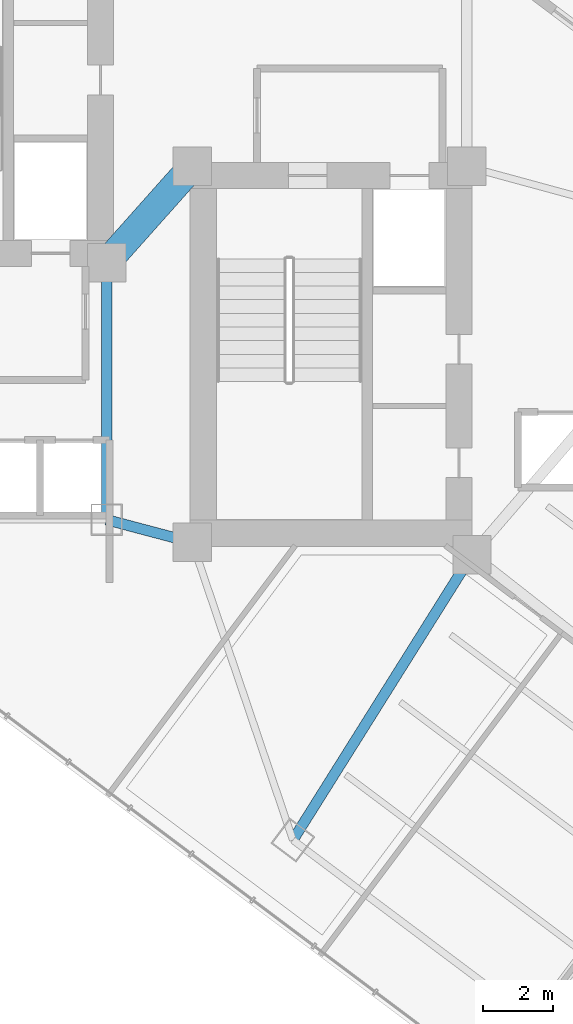
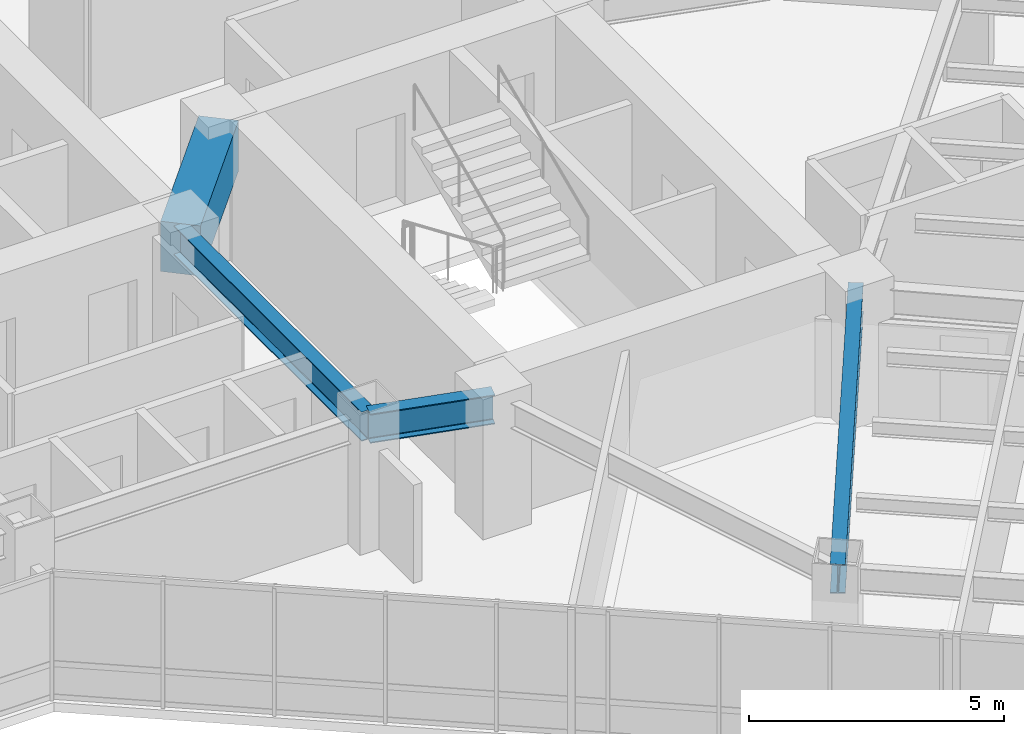
# One storey, part 10 of 36: 4 beams.
"""IFC4 building model written with IfcOpenShell, lengths in metres."""

from ifc_helpers import new_model, si_unit, direction, frame, origin, origin_2d, place, context, subcontext, project, spatial, rectangle, i_section, extrude, material, material_profile, profile_set, type_object, element, save


model = new_model("IFC4")

# Units and contexts
model_context = context("Model", 3, precision=1e-05, world=origin(), true_north=direction((0.0, 1.0)))
body_context = subcontext(model_context, "Body", "Model", "MODEL_VIEW")
ifc_project = project(units=[si_unit("LENGTHUNIT", "METRE"), si_unit("AREAUNIT", "SQUARE_METRE"), si_unit("VOLUMEUNIT", "CUBIC_METRE"), si_unit("PLANEANGLEUNIT", "RADIAN"), si_unit("MASSUNIT", "GRAM", prefix="KILO")], contexts=[model_context])

# Site, building, storey
site_placement = place(None, origin())
site = spatial("IfcSite", under=ifc_project, at=site_placement, CompositionType="ELEMENT")
building_placement = place(site_placement, origin())
building = spatial("IfcBuilding", under=site, at=building_placement, Name="Hatsunagi Terrace Concourse", CompositionType="ELEMENT")
storey_placement = place(building_placement, frame((0.0, 0.0, 88.0)))
storey = spatial("IfcBuildingStorey", under=building, at=storey_placement, Name="L23", CompositionType="ELEMENT", Elevation=88.0)

# Beams
ifc_material_1 = material(Name="Concrete Fc60", Category="concrete")
ifc_material_profile_1 = material_profile(ifc_material_1, rectangle(XDim=0.800048828125, YDim=1.199951171875, at=origin_2d()), Name="RC-800x1200")
ifc_profile_set_1 = profile_set([ifc_material_profile_1], Name="Concrete Fc60")
beam_type_1 = type_object("IfcBeamType", Name="CoreCouplingBeam_RC_800x1200", PredefinedType="BEAM", material=ifc_profile_set_1)
beam_1_placement = place(storey_placement, frame((33.35009765625, 32.550048828125, 2.449951171875), z_axis=(0.665198651008, 0.746666427997, 0.0), x_axis=(-0.746666427997, 0.665198651008, 0.0)))
element("IfcBeam", 1, at=beam_1_placement, inside=storey, type_object=beam_type_1, Name="Beam CB-01 CB-L23-1", PredefinedType="BEAM", context=body_context, shape_type="SweptSolid", body=[
    extrude(rectangle(XDim=0.800048828125, YDim=1.199951171875, at=origin_2d()), origin(), (0.0, 0.0, 1.0), 3.68310546875),
])
ifc_material_2 = material(Name="Steel SN490B", Category="steel")
ifc_material_profile_2 = material_profile(ifc_material_2, i_section(OverallWidth=0.300048828125, OverallDepth=0.699951171875, WebThickness=0.012939453125, FlangeThickness=0.02392578125, FilletRadius=0.02197265625, at=origin_2d()), Name="H-700x300x13x24")
ifc_profile_set_2 = profile_set([ifc_material_profile_2], Name="Steel SN490B")
beam_type_2 = type_object("IfcBeamType", Name="HotelFloorGirder_H_700x300", PredefinedType="BEAM", material=ifc_profile_set_2)
beam_2_placement = place(storey_placement, frame((33.35009765625, 25.199951171875, 2.699951171875), z_axis=(0.0, 1.0, 0.0), x_axis=(-1.0, 0.0, 0.0)))
element("IfcBeam", 2, at=beam_2_placement, inside=storey, type_object=beam_type_2, Name="Beam G-04 BM-L23-K2CA", PredefinedType="BEAM", context=body_context, shape_type="SweptSolid", body=[
    extrude(i_section(OverallWidth=0.300048828125, OverallDepth=0.699951171875, WebThickness=0.012939453125, FlangeThickness=0.02392578125, FilletRadius=0.02197265625, at=origin_2d()), origin(), (0.0, 0.0, 1.0), 7.35009765625),
])
beam_3_placement = place(storey_placement, frame((33.35009765625, 25.199951171875, 2.699951171875), z_axis=(0.966569840116, -0.256403479262, 0.0), x_axis=(0.256403479262, 0.966569840116, 0.0)))
element("IfcBeam", 3, at=beam_3_placement, inside=storey, type_object=beam_type_2, Name="Beam G-04 BM-L23-K2CB", PredefinedType="BEAM", context=body_context, shape_type="SweptSolid", body=[
    extrude(i_section(OverallWidth=0.300048828125, OverallDepth=0.699951171875, WebThickness=0.012939453125, FlangeThickness=0.02392578125, FilletRadius=0.02197265625, at=origin_2d()), origin(), (0.0, 0.0, 1.0), 2.53466796875),
])
beam_4_placement = place(storey_placement, frame((38.679931640625, 16.0400390625, 2.699951171875), z_axis=(0.531503907049, 0.847055840421, 0.0), x_axis=(-0.847055840421, 0.531503907049, 0.0)))
element("IfcBeam", 4, at=beam_4_placement, inside=storey, type_object=beam_type_2, Name="Beam G-04 BM-L23-SET-1A", PredefinedType="BEAM", context=body_context, shape_type="SweptSolid", body=[
    extrude(i_section(OverallWidth=0.300048828125, OverallDepth=0.699951171875, WebThickness=0.012939453125, FlangeThickness=0.02392578125, FilletRadius=0.02197265625, at=origin_2d()), origin(), (0.0, 0.0, 1.0), 9.63330078125),
])

save(model, "model.ifc")
